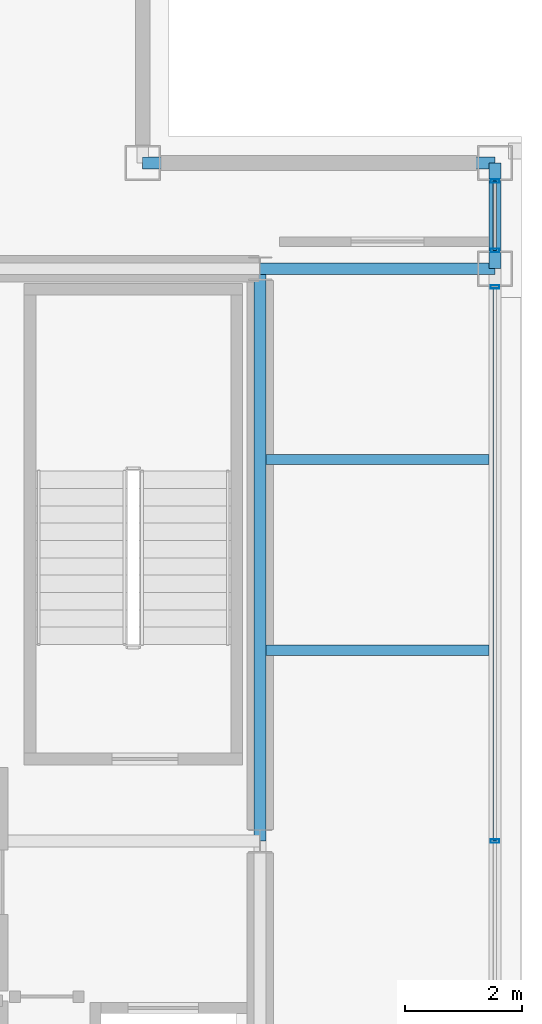
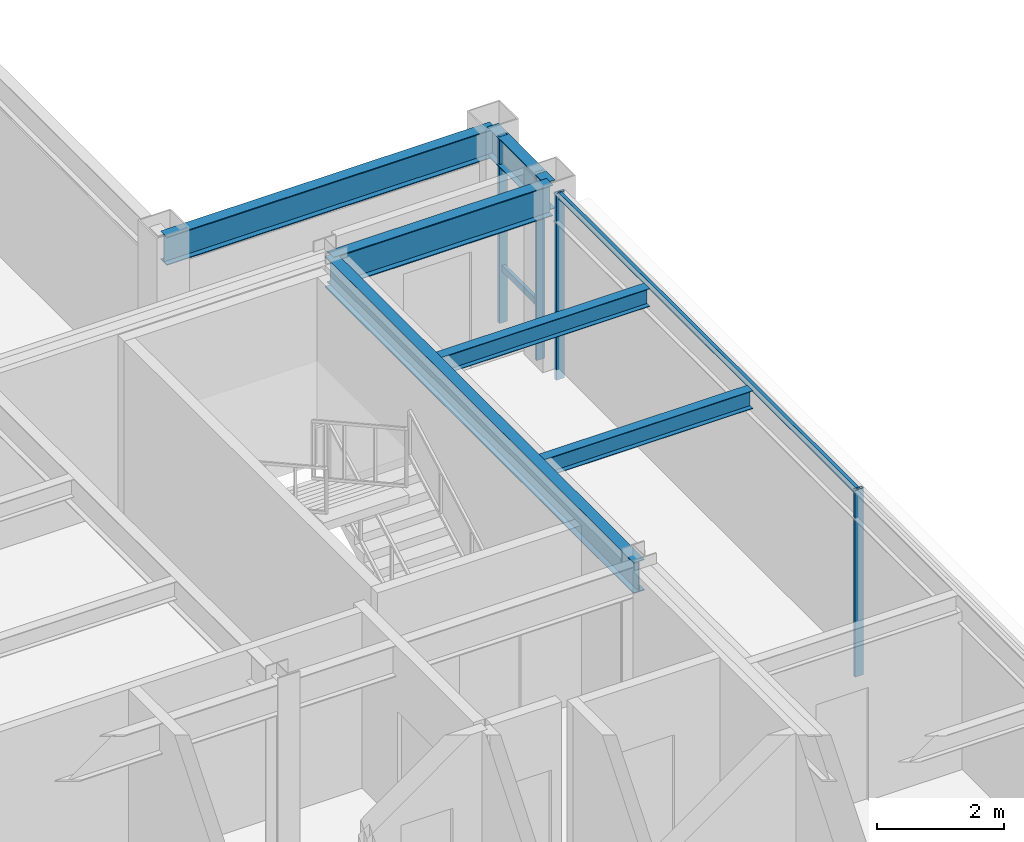
# One storey, part 15 of 24: 6 beams, 6 members, 2 elements without a shape of their own.
"""IFC4 building model written with IfcOpenShell, lengths in metres."""

from ifc_helpers import new_model, si_unit, direction, frame, origin, origin_2d, place, context, subcontext, project, spatial, hollow_rectangle, i_section, extrude, material, layer, layer_set, material_profile, profile_set, type_object, element, aggregate, save


model = new_model("IFC4")

# Units and contexts
model_context = context("Model", 3, precision=1e-05, world=origin(), true_north=direction((0.0, 1.0)))
body_context = subcontext(model_context, "Body", "Model", "MODEL_VIEW")
ifc_project = project(units=[si_unit("LENGTHUNIT", "METRE"), si_unit("AREAUNIT", "SQUARE_METRE"), si_unit("VOLUMEUNIT", "CUBIC_METRE"), si_unit("PLANEANGLEUNIT", "RADIAN"), si_unit("MASSUNIT", "GRAM", prefix="KILO")], contexts=[model_context])

# Site, building, storey
site_placement = place(None, origin())
site = spatial("IfcSite", under=ifc_project, at=site_placement, CompositionType="ELEMENT")
building_placement = place(site_placement, origin())
building = spatial("IfcBuilding", under=site, at=building_placement, Name="Brelmoor Portico Tower", CompositionType="ELEMENT")
storey_placement = place(building_placement, frame((0.0, 0.0, 254.39990234375)))
storey = spatial("IfcBuildingStorey", under=building, at=storey_placement, Name="L67", CompositionType="ELEMENT", Elevation=254.39990234375)

# Beams
ifc_material_1 = material(Name="Steel Q355B", Category="steel")
ifc_material_profile_1 = material_profile(ifc_material_1, i_section(OverallWidth=0.175048828125, OverallDepth=0.35009765625, WebThickness=0.007080078125, FlangeThickness=0.010986328125, at=origin_2d()), Name="HN 350x175x7x11")
ifc_profile_set_1 = profile_set([ifc_material_profile_1], Name="Steel Q355B")
beam_type_1 = type_object("IfcBeamType", Name="BM-JS-350", PredefinedType="JOIST", material=ifc_profile_set_1)
for number, where, z_axis, x_axis, name in (
    (1, (14.64990234375, 3.25, 3.22509765625), (1.0, 0.0, 0.0), (0.0, 1.0, 0.0), "L67 Secondary Wing Joist JS-E13"),
    (2, (14.64990234375, 6.5, 3.22509765625), (1.0, 0.0, 0.0), (0.0, 1.0, 0.0), "L67 Secondary Wing Joist JS-E14"),
):
    element("IfcBeam", number, at=place(storey_placement, frame(where, z_axis=z_axis, x_axis=x_axis)), inside=storey, type_object=beam_type_1, Name=name, PredefinedType="JOIST", context=body_context, shape_type="SweptSolid", body=[
        extrude(i_section(OverallWidth=0.175048828125, OverallDepth=0.35009765625, WebThickness=0.007080078125, FlangeThickness=0.010986328125, at=origin_2d()), origin(), (0.0, 0.0, 1.0), 3.800048828125),
    ])
ifc_material_profile_2 = material_profile(ifc_material_1, i_section(OverallWidth=0.199951171875, OverallDepth=0.60009765625, WebThickness=0.010986328125, FlangeThickness=0.01708984375, at=origin_2d()), Name="HN 600x200x11x17")
ifc_profile_set_2 = profile_set([ifc_material_profile_2], Name="Steel Q355B")
beam_type_2 = type_object("IfcBeamType", Name="BM-PG-600", PredefinedType="BEAM", material=ifc_profile_set_2)
beam_1_placement = place(storey_placement, frame((14.550048828125, 0.0, 3.10009765625), z_axis=(0.0, 1.0, 0.0), x_axis=(-1.0, 0.0, 0.0)))
element("IfcBeam", 3, at=beam_1_placement, inside=storey, type_object=beam_type_2, Name="L67 Primary Floor Girder PG-10", PredefinedType="BEAM", context=body_context, shape_type="SweptSolid", body=[
    extrude(i_section(OverallWidth=0.199951171875, OverallDepth=0.60009765625, WebThickness=0.010986328125, FlangeThickness=0.01708984375, at=origin_2d()), origin(), (0.0, 0.0, 1.0), 9.75),
])
beam_2_placement = place(storey_placement, frame((14.550048828125, 9.75, 3.10009765625), z_axis=(1.0, 0.0, 0.0), x_axis=(0.0, 1.0, 0.0)))
element("IfcBeam", 4, at=beam_2_placement, inside=storey, type_object=beam_type_2, Name="L67 Primary Floor Girder PG-23", PredefinedType="BEAM", context=body_context, shape_type="SweptSolid", body=[
    extrude(i_section(OverallWidth=0.199951171875, OverallDepth=0.60009765625, WebThickness=0.010986328125, FlangeThickness=0.01708984375, at=origin_2d()), origin(), (0.0, 0.0, 1.0), 4.0),
])
ifc_material_profile_3 = material_profile(ifc_material_1, i_section(OverallWidth=0.199951171875, OverallDepth=0.550048828125, WebThickness=0.010009765625, FlangeThickness=0.01611328125, at=origin_2d()), Name="HN 550x200x10x16")
ifc_profile_set_3 = profile_set([ifc_material_profile_3], Name="Steel Q355B")
beam_type_3 = type_object("IfcBeamType", Name="BM-SP-550", PredefinedType="SPANDREL", material=ifc_profile_set_3)
beam_3_placement = place(storey_placement, frame((12.550048828125, 11.550048828125, 3.125), z_axis=(1.0, 0.0, 0.0), x_axis=(0.0, 1.0, 0.0)))
element("IfcBeam", 5, at=beam_3_placement, inside=storey, type_object=beam_type_3, Name="L67 Perimeter Spandrel Beam SP-07", PredefinedType="SPANDREL", context=body_context, shape_type="SweptSolid", body=[
    extrude(i_section(OverallWidth=0.199951171875, OverallDepth=0.550048828125, WebThickness=0.010009765625, FlangeThickness=0.01611328125, at=origin_2d()), origin(), (0.0, 0.0, 1.0), 6.0),
])
beam_4_placement = place(storey_placement, frame((18.550048828125, 9.75, 3.125), z_axis=(0.0, 1.0, 0.0), x_axis=(-1.0, 0.0, 0.0)))
element("IfcBeam", 6, at=beam_4_placement, inside=storey, type_object=beam_type_3, Name="L67 Perimeter Spandrel Beam SP-20", PredefinedType="SPANDREL", context=body_context, shape_type="SweptSolid", body=[
    extrude(i_section(OverallWidth=0.199951171875, OverallDepth=0.550048828125, WebThickness=0.010009765625, FlangeThickness=0.01611328125, at=origin_2d()), origin(), (0.0, 0.0, 1.0), 1.800048828125),
])

# Curtain wall, members
ifc_material_2 = material(Name="Anodised Aluminium Alloy 6063-T6", Category="aluminium")
ifc_layer_1 = layer(ifc_material_2, 0.179931640625)
ifc_layer_set_1 = layer_set([ifc_layer_1], Name="Anodised Aluminium Alloy 6063-T6")
curtain_wall_type_1 = type_object("IfcCurtainWallType", Name="CW-TOWER-Z4-XB", PredefinedType="NOTDEFINED", material=ifc_layer_set_1)
curtain_wall_1_placement = place(storey_placement, origin())
curtain_wall_1 = element("IfcCurtainWall", 7, at=curtain_wall_1_placement, inside=storey, type_object=curtain_wall_type_1, Name="L67 Curtain Wall CW-L67-04-2", PredefinedType="NOTDEFINED")
ifc_material_profile_4 = material_profile(ifc_material_2, hollow_rectangle(XDim=0.06005859375, YDim=0.14990234375, WallThickness=0.00390625, at=origin_2d()), Name="ALU MULLION 60x150")
ifc_profile_set_4 = profile_set([ifc_material_profile_4], Name="Anodised Aluminium Alloy 6063-T6")
member_type_1 = type_object("IfcMemberType", Name="MB-CW-MULL-150", PredefinedType="MULLION", material=ifc_profile_set_4)
member_1_placement = place(storey_placement, frame((18.550048828125, 0.0, -0.199951171875), z_axis=(0.0, 0.0, 1.0), x_axis=(0.0, 1.0, 0.0)))
member_1 = element("IfcMember", 8, at=member_1_placement, type_object=member_type_1, Name="CW-L67-04-2 Mullion 01", PredefinedType="MULLION", context=body_context, shape_type="SweptSolid", body=[
    extrude(hollow_rectangle(XDim=0.06005859375, YDim=0.14990234375, WallThickness=0.00390625, at=origin_2d()), origin(), (0.0, 0.0, 1.0), 3.60009765625),
])
member_2_placement = place(storey_placement, frame((18.550048828125, 9.43994140625, -0.199951171875), z_axis=(0.0, 0.0, 1.0), x_axis=(0.0, 1.0, 0.0)))
member_2 = element("IfcMember", 9, at=member_2_placement, type_object=member_type_1, Name="CW-L67-04-2 Mullion 02", PredefinedType="MULLION", context=body_context, shape_type="SweptSolid", body=[
    extrude(hollow_rectangle(XDim=0.06005859375, YDim=0.14990234375, WallThickness=0.00390625, at=origin_2d()), origin(), (0.0, 0.0, 1.0), 3.60009765625),
])

ifc_layer_2 = layer(ifc_material_2, 0.179931640625)
ifc_layer_set_2 = layer_set([ifc_layer_2], Name="Anodised Aluminium Alloy 6063-T6")
curtain_wall_type_2 = type_object("IfcCurtainWallType", Name="CW-TOWER-Z4", PredefinedType="NOTDEFINED", material=ifc_layer_set_2)
curtain_wall_2_placement = place(storey_placement, origin())
curtain_wall_2 = element("IfcCurtainWall", 10, at=curtain_wall_2_placement, inside=storey, type_object=curtain_wall_type_2, Name="L67 Curtain Wall CW-L67-04-3", PredefinedType="NOTDEFINED")
member_3_placement = place(storey_placement, frame((18.550048828125, 10.06005859375, -0.199951171875), z_axis=(0.0, 0.0, 1.0), x_axis=(0.0, 1.0, 0.0)))
member_3 = element("IfcMember", 11, at=member_3_placement, type_object=member_type_1, Name="CW-L67-04-3 Mullion 00", PredefinedType="MULLION", context=body_context, shape_type="SweptSolid", body=[
    extrude(hollow_rectangle(XDim=0.06005859375, YDim=0.14990234375, WallThickness=0.00390625, at=origin_2d()), origin(), (0.0, 0.0, 1.0), 3.60009765625),
])
member_4_placement = place(storey_placement, frame((18.550048828125, 11.239990234375, -0.199951171875), z_axis=(0.0, 0.0, 1.0), x_axis=(0.0, 1.0, 0.0)))
member_4 = element("IfcMember", 12, at=member_4_placement, type_object=member_type_1, Name="CW-L67-04-3 Mullion 01", PredefinedType="MULLION", context=body_context, shape_type="SweptSolid", body=[
    extrude(hollow_rectangle(XDim=0.06005859375, YDim=0.14990234375, WallThickness=0.00390625, at=origin_2d()), origin(), (0.0, 0.0, 1.0), 3.60009765625),
])

# Member
ifc_material_profile_5 = material_profile(ifc_material_2, hollow_rectangle(XDim=0.06005859375, YDim=0.125, WallThickness=0.00341796875, at=origin_2d()), Name="ALU TRANSOM 60x125")
ifc_profile_set_5 = profile_set([ifc_material_profile_5], Name="Anodised Aluminium Alloy 6063-T6")
member_type_2 = type_object("IfcMemberType", Name="MB-CW-TRAN-125", PredefinedType="USERDEFINED", material=ifc_profile_set_5)
member_5_placement = place(storey_placement, frame((18.550048828125, 0.0, 3.337646484375), z_axis=(0.0, 1.0, 0.0), x_axis=(-1.0, 0.0, 0.0)))
member_5 = element("IfcMember", 13, at=member_5_placement, type_object=member_type_2, Name="CW-L67-04-2 Transom 1-01", ObjectType="TRANSOM", PredefinedType="USERDEFINED", context=body_context, shape_type="SweptSolid", body=[
    extrude(hollow_rectangle(XDim=0.06005859375, YDim=0.125, WallThickness=0.00341796875, at=origin_2d()), origin(), (0.0, 0.0, 1.0), 9.43994140625),
])

aggregate(curtain_wall_1, [member_1, member_2, member_5])

member_6_placement = place(storey_placement, frame((18.550048828125, 10.06005859375, 0.85009765625), z_axis=(0.0, 1.0, 0.0), x_axis=(-1.0, 0.0, 0.0)))
member_6 = element("IfcMember", 14, at=member_6_placement, type_object=member_type_2, Name="CW-L67-04-3 Transom 1-00", ObjectType="TRANSOM", PredefinedType="USERDEFINED", context=body_context, shape_type="SweptSolid", body=[
    extrude(hollow_rectangle(XDim=0.06005859375, YDim=0.125, WallThickness=0.00341796875, at=origin_2d()), origin(), (0.0, 0.0, 1.0), 1.179931640625),
])

aggregate(curtain_wall_2, [member_3, member_4, member_6])

save(model, "model.ifc")
